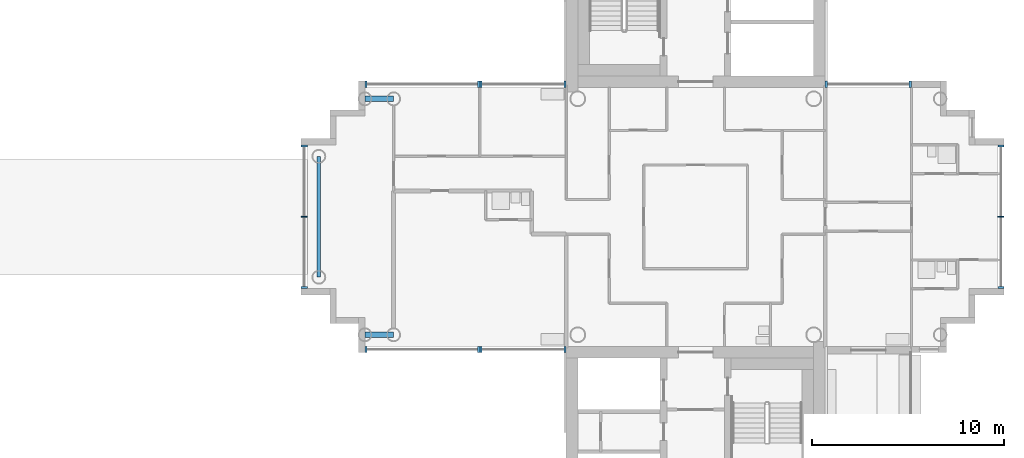
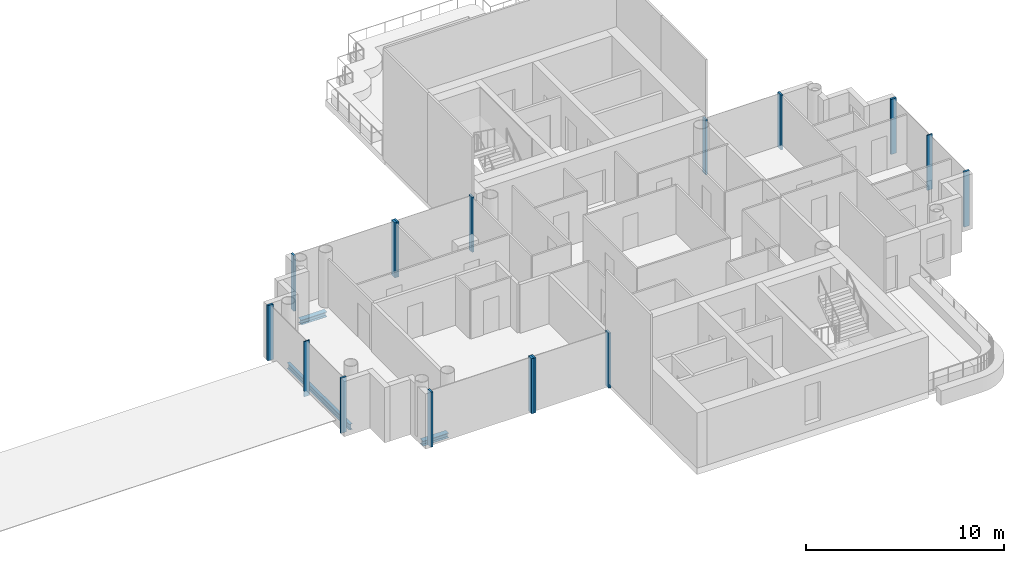
# One storey, part 4 of 19: 16 members, 3 beams, 7 elements without a shape of their own.
"""IFC4 building model written with IfcOpenShell, lengths in metres."""

from ifc_helpers import new_model, si_unit, direction, frame, origin, origin_2d, place, context, subcontext, project, spatial, rectangle, i_section, extrude, material, layer, layer_set, material_profile, profile_set, type_object, element, aggregate, save


model = new_model("IFC4")

# Units and contexts
model_context = context("Model", 3, precision=1e-05, world=origin(), true_north=direction((0.0, 1.0)))
body_context = subcontext(model_context, "Body", "Model", "MODEL_VIEW")
ifc_project = project(units=[si_unit("LENGTHUNIT", "METRE"), si_unit("AREAUNIT", "SQUARE_METRE"), si_unit("VOLUMEUNIT", "CUBIC_METRE"), si_unit("PLANEANGLEUNIT", "RADIAN"), si_unit("MASSUNIT", "GRAM", prefix="KILO")], contexts=[model_context])

# Site, building, storey
site_placement = place(None, origin())
site = spatial("IfcSite", under=ifc_project, at=site_placement, CompositionType="ELEMENT")
building_placement = place(site_placement, origin())
building = spatial("IfcBuilding", under=site, at=building_placement, Name="Ipe Terrace Towers", CompositionType="ELEMENT")
storey_placement = place(building_placement, frame((0.0, 0.0, 185.800048828125)))
storey = spatial("IfcBuildingStorey", under=building, at=storey_placement, Name="L51", CompositionType="ELEMENT", Elevation=185.800048828125)

# Beams
ifc_material_1 = material(Name="Steel S355", Category="steel")
ifc_material_profile_1 = material_profile(ifc_material_1, i_section(OverallWidth=0.300048828125, OverallDepth=0.300048828125, WebThickness=0.010009765625, FlangeThickness=0.014892578125, at=origin_2d()), Name="H-300x300x10x15")
ifc_profile_set_1 = profile_set([ifc_material_profile_1], Name="Steel S355")
beam_type_1 = type_object("IfcBeamType", Name="H03 EDGE BEAM H-300x300x10x15", PredefinedType="BEAM", material=ifc_profile_set_1)
for number, where, z_axis, x_axis, name in (
    (1, (20.25, 6.14990234375, -0.550048828125), (-1.0, 0.0, 0.0), (0.0, -1.0, 0.0), "Edge beam T2-EB-B03-B05"),
    (2, (20.25, -6.14990234375, -0.550048828125), (-1.0, 0.0, 0.0), (0.0, -1.0, 0.0), "Edge beam T2-EB-B04-B06"),
):
    element("IfcBeam", number, at=place(storey_placement, frame(where, z_axis=z_axis, x_axis=x_axis)), inside=storey, type_object=beam_type_1, Name=name, PredefinedType="BEAM", context=body_context, shape_type="SweptSolid", body=[
        extrude(i_section(OverallWidth=0.300048828125, OverallDepth=0.300048828125, WebThickness=0.010009765625, FlangeThickness=0.014892578125, at=origin_2d()), origin(), (0.0, 0.0, 1.0), 1.5),
    ])
ifc_material_2 = material(Name="Steel S355", Category="steel")
ifc_material_profile_2 = material_profile(ifc_material_2, i_section(OverallWidth=0.175048828125, OverallDepth=0.35009765625, WebThickness=0.007080078125, FlangeThickness=0.010986328125, at=origin_2d()), Name="H-350x175x7x11")
ifc_profile_set_2 = profile_set([ifc_material_profile_2], Name="Steel S355")
beam_type_2 = type_object("IfcBeamType", Name="H04 EDGE BEAM H-350x175x7x11", PredefinedType="BEAM", material=ifc_profile_set_2)
beam_placement = place(storey_placement, frame((16.35009765625, 3.14990234375, -0.574951171875), z_axis=(0.0, -1.0, 0.0), x_axis=(1.0, 0.0, 0.0)))
element("IfcBeam", 3, at=beam_placement, inside=storey, type_object=beam_type_2, Name="Edge beam T2-EB-B07-B08", PredefinedType="BEAM", context=body_context, shape_type="SweptSolid", body=[
    extrude(i_section(OverallWidth=0.175048828125, OverallDepth=0.35009765625, WebThickness=0.007080078125, FlangeThickness=0.010986328125, at=origin_2d()), origin(), (0.0, 0.0, 1.0), 6.2998046875),
])

# Curtain wall, members
ifc_material_3 = material(Name="Aluminium alloy 6063-T6", Category="aluminium")
ifc_layer = layer(ifc_material_3, 0.320068359375)
ifc_layer_set = layer_set([ifc_layer], Name="TOWER UNITISED CURTAIN WALL")
curtain_wall_type = type_object("IfcCurtainWallType", Name="TOWER UNITISED CURTAIN WALL", PredefinedType="NOTDEFINED", material=ifc_layer_set)
curtain_wall_1_placement = place(storey_placement, origin())
curtain_wall_1 = element("IfcCurtainWall", 4, at=curtain_wall_1_placement, inside=storey, type_object=curtain_wall_type, Name="T2-CW-L51-08a curtain wall", PredefinedType="NOTDEFINED")
ifc_material_4 = material(Name="Aluminium alloy 6063-T6", Category="aluminium")
ifc_material_profile_3 = material_profile(ifc_material_4, rectangle(XDim=0.320068359375, YDim=0.1201171875, at=origin_2d()), Name="TOWER UNITISED CORNER MULLION 320 x 120")
ifc_profile_set_3 = profile_set([ifc_material_profile_3], Name="Aluminium alloy 6063-T6")
member_type_1 = type_object("IfcMemberType", Name="TOWER UNITISED CORNER MULLION 320 x 120", PredefinedType="MULLION", material=ifc_profile_set_3)
member_1_placement = place(storey_placement, frame((51.909912109375, -3.68994140625, -0.300048828125), z_axis=(0.0, 0.0, 1.0), x_axis=(1.0, 0.0, 0.0)))
member_1 = element("IfcMember", 5, at=member_1_placement, type_object=member_type_1, Name="T2-CW-L51-08a mullion 1", PredefinedType="MULLION", context=body_context, shape_type="SweptSolid", body=[
    extrude(rectangle(XDim=0.320068359375, YDim=0.1201171875, at=origin_2d()), origin(), (0.0, 0.0, 1.0), 3.39990234375),
])
member_2_placement = place(storey_placement, frame((51.909912109375, 3.68994140625, -0.300048828125), z_axis=(0.0, 0.0, 1.0), x_axis=(1.0, 0.0, 0.0)))
member_2 = element("IfcMember", 6, at=member_2_placement, type_object=member_type_1, Name="T2-CW-L51-08a mullion 3", PredefinedType="MULLION", context=body_context, shape_type="SweptSolid", body=[
    extrude(rectangle(XDim=0.320068359375, YDim=0.1201171875, at=origin_2d()), origin(), (0.0, 0.0, 1.0), 3.39990234375),
])

curtain_wall_2_placement = place(storey_placement, origin())
curtain_wall_2 = element("IfcCurtainWall", 7, at=curtain_wall_2_placement, inside=storey, type_object=curtain_wall_type, Name="T2-CW-L51-14a curtain wall", PredefinedType="NOTDEFINED")
member_3_placement = place(storey_placement, frame((47.18994140625, 6.909912109375, -0.300048828125), z_axis=(0.0, 0.0, 1.0), x_axis=(0.0, 1.0, 0.0)))
member_3 = element("IfcMember", 8, at=member_3_placement, type_object=member_type_1, Name="T2-CW-L51-14a mullion 1", PredefinedType="MULLION", context=body_context, shape_type="SweptSolid", body=[
    extrude(rectangle(XDim=0.320068359375, YDim=0.1201171875, at=origin_2d()), origin(), (0.0, 0.0, 1.0), 3.39990234375),
])
member_4_placement = place(storey_placement, frame((42.81005859375, 6.909912109375, -0.300048828125), z_axis=(0.0, 0.0, 1.0), x_axis=(0.0, 1.0, 0.0)))
member_4 = element("IfcMember", 9, at=member_4_placement, type_object=member_type_1, Name="T2-CW-L51-14a mullion 2", PredefinedType="MULLION", context=body_context, shape_type="SweptSolid", body=[
    extrude(rectangle(XDim=0.320068359375, YDim=0.1201171875, at=origin_2d()), origin(), (0.0, 0.0, 1.0), 3.39990234375),
])
aggregate(curtain_wall_2, [member_3, member_4])

curtain_wall_3_placement = place(storey_placement, origin())
curtain_wall_3 = element("IfcCurtainWall", 10, at=curtain_wall_3_placement, inside=storey, type_object=curtain_wall_type, Name="T2-CW-L51-20a curtain wall", PredefinedType="NOTDEFINED")
member_5_placement = place(storey_placement, frame((29.18994140625, 6.909912109375, -0.300048828125), z_axis=(0.0, 0.0, 1.0), x_axis=(0.0, 1.0, 0.0)))
member_5 = element("IfcMember", 11, at=member_5_placement, type_object=member_type_1, Name="T2-CW-L51-20a mullion 1", PredefinedType="MULLION", context=body_context, shape_type="SweptSolid", body=[
    extrude(rectangle(XDim=0.320068359375, YDim=0.1201171875, at=origin_2d()), origin(), (0.0, 0.0, 1.0), 3.39990234375),
])
member_6_placement = place(storey_placement, frame((24.81005859375, 6.909912109375, -0.300048828125), z_axis=(0.0, 0.0, 1.0), x_axis=(0.0, 1.0, 0.0)))
member_6 = element("IfcMember", 12, at=member_6_placement, type_object=member_type_1, Name="T2-CW-L51-20a mullion 2", PredefinedType="MULLION", context=body_context, shape_type="SweptSolid", body=[
    extrude(rectangle(XDim=0.320068359375, YDim=0.1201171875, at=origin_2d()), origin(), (0.0, 0.0, 1.0), 3.39990234375),
])
aggregate(curtain_wall_3, [member_5, member_6])

curtain_wall_4_placement = place(storey_placement, origin())
curtain_wall_4 = element("IfcCurtainWall", 13, at=curtain_wall_4_placement, inside=storey, type_object=curtain_wall_type, Name="T2-CW-L51-21a curtain wall", PredefinedType="NOTDEFINED")
member_7_placement = place(storey_placement, frame((24.68994140625, 6.909912109375, -0.300048828125), z_axis=(0.0, 0.0, 1.0), x_axis=(0.0, 1.0, 0.0)))
member_7 = element("IfcMember", 14, at=member_7_placement, type_object=member_type_1, Name="T2-CW-L51-21a mullion 1", PredefinedType="MULLION", context=body_context, shape_type="SweptSolid", body=[
    extrude(rectangle(XDim=0.320068359375, YDim=0.1201171875, at=origin_2d()), origin(), (0.0, 0.0, 1.0), 3.39990234375),
])
member_8_placement = place(storey_placement, frame((18.81005859375, 6.909912109375, -0.300048828125), z_axis=(0.0, 0.0, 1.0), x_axis=(0.0, 1.0, 0.0)))
member_8 = element("IfcMember", 15, at=member_8_placement, type_object=member_type_1, Name="T2-CW-L51-21a mullion 2", PredefinedType="MULLION", context=body_context, shape_type="SweptSolid", body=[
    extrude(rectangle(XDim=0.320068359375, YDim=0.1201171875, at=origin_2d()), origin(), (0.0, 0.0, 1.0), 3.39990234375),
])
aggregate(curtain_wall_4, [member_7, member_8])

curtain_wall_5_placement = place(storey_placement, origin())
curtain_wall_5 = element("IfcCurtainWall", 16, at=curtain_wall_5_placement, inside=storey, type_object=curtain_wall_type, Name="T2-CW-L51-26a curtain wall", PredefinedType="NOTDEFINED")
member_9_placement = place(storey_placement, frame((15.590087890625, 3.68994140625, -0.300048828125), z_axis=(0.0, 0.0, 1.0), x_axis=(-1.0, 0.0, 0.0)))
member_9 = element("IfcMember", 17, at=member_9_placement, type_object=member_type_1, Name="T2-CW-L51-26a mullion 1", PredefinedType="MULLION", context=body_context, shape_type="SweptSolid", body=[
    extrude(rectangle(XDim=0.320068359375, YDim=0.1201171875, at=origin_2d()), origin(), (0.0, 0.0, 1.0), 3.39990234375),
])
member_10_placement = place(storey_placement, frame((15.590087890625, -3.68994140625, -0.300048828125), z_axis=(0.0, 0.0, 1.0), x_axis=(-1.0, 0.0, 0.0)))
member_10 = element("IfcMember", 18, at=member_10_placement, type_object=member_type_1, Name="T2-CW-L51-26a mullion 3", PredefinedType="MULLION", context=body_context, shape_type="SweptSolid", body=[
    extrude(rectangle(XDim=0.320068359375, YDim=0.1201171875, at=origin_2d()), origin(), (0.0, 0.0, 1.0), 3.39990234375),
])

curtain_wall_6_placement = place(storey_placement, origin())
curtain_wall_6 = element("IfcCurtainWall", 19, at=curtain_wall_6_placement, inside=storey, type_object=curtain_wall_type, Name="T2-CW-L51-31a curtain wall", PredefinedType="NOTDEFINED")
member_11_placement = place(storey_placement, frame((18.81005859375, -6.909912109375, -0.300048828125), z_axis=(0.0, 0.0, 1.0), x_axis=(0.0, -1.0, 0.0)))
member_11 = element("IfcMember", 20, at=member_11_placement, type_object=member_type_1, Name="T2-CW-L51-31a mullion 1", PredefinedType="MULLION", context=body_context, shape_type="SweptSolid", body=[
    extrude(rectangle(XDim=0.320068359375, YDim=0.1201171875, at=origin_2d()), origin(), (0.0, 0.0, 1.0), 3.39990234375),
])
member_12_placement = place(storey_placement, frame((24.68994140625, -6.909912109375, -0.300048828125), z_axis=(0.0, 0.0, 1.0), x_axis=(0.0, -1.0, 0.0)))
member_12 = element("IfcMember", 21, at=member_12_placement, type_object=member_type_1, Name="T2-CW-L51-31a mullion 2", PredefinedType="MULLION", context=body_context, shape_type="SweptSolid", body=[
    extrude(rectangle(XDim=0.320068359375, YDim=0.1201171875, at=origin_2d()), origin(), (0.0, 0.0, 1.0), 3.39990234375),
])
aggregate(curtain_wall_6, [member_11, member_12])

curtain_wall_7_placement = place(storey_placement, origin())
curtain_wall_7 = element("IfcCurtainWall", 22, at=curtain_wall_7_placement, inside=storey, type_object=curtain_wall_type, Name="T2-CW-L51-32a curtain wall", PredefinedType="NOTDEFINED")
member_13_placement = place(storey_placement, frame((24.81005859375, -6.909912109375, -0.300048828125), z_axis=(0.0, 0.0, 1.0), x_axis=(0.0, -1.0, 0.0)))
member_13 = element("IfcMember", 23, at=member_13_placement, type_object=member_type_1, Name="T2-CW-L51-32a mullion 1", PredefinedType="MULLION", context=body_context, shape_type="SweptSolid", body=[
    extrude(rectangle(XDim=0.320068359375, YDim=0.1201171875, at=origin_2d()), origin(), (0.0, 0.0, 1.0), 3.39990234375),
])
member_14_placement = place(storey_placement, frame((29.18994140625, -6.909912109375, -0.300048828125), z_axis=(0.0, 0.0, 1.0), x_axis=(0.0, -1.0, 0.0)))
member_14 = element("IfcMember", 24, at=member_14_placement, type_object=member_type_1, Name="T2-CW-L51-32a mullion 2", PredefinedType="MULLION", context=body_context, shape_type="SweptSolid", body=[
    extrude(rectangle(XDim=0.320068359375, YDim=0.1201171875, at=origin_2d()), origin(), (0.0, 0.0, 1.0), 3.39990234375),
])
aggregate(curtain_wall_7, [member_13, member_14])

# Member
ifc_material_5 = material(Name="Aluminium alloy 6063-T6", Category="aluminium")
ifc_material_profile_4 = material_profile(ifc_material_5, rectangle(XDim=0.320068359375, YDim=0.06494140625, at=origin_2d()), Name="TOWER UNITISED MULLION 320 x 65")
ifc_profile_set_4 = profile_set([ifc_material_profile_4], Name="Aluminium alloy 6063-T6")
member_type_2 = type_object("IfcMemberType", Name="TOWER UNITISED MULLION 320 x 65", PredefinedType="MULLION", material=ifc_profile_set_4)
member_15_placement = place(storey_placement, frame((51.909912109375, 0.0, -0.300048828125), z_axis=(0.0, 0.0, 1.0), x_axis=(1.0, 0.0, 0.0)))
member_15 = element("IfcMember", 25, at=member_15_placement, type_object=member_type_2, Name="T2-CW-L51-08a mullion 2", PredefinedType="MULLION", context=body_context, shape_type="SweptSolid", body=[
    extrude(rectangle(XDim=0.320068359375, YDim=0.06494140625, at=origin_2d()), origin(), (0.0, 0.0, 1.0), 3.39990234375),
])

aggregate(curtain_wall_1, [member_1, member_15, member_2])

member_16_placement = place(storey_placement, frame((15.590087890625, 0.0, -0.300048828125), z_axis=(0.0, 0.0, 1.0), x_axis=(-1.0, 0.0, 0.0)))
member_16 = element("IfcMember", 26, at=member_16_placement, type_object=member_type_2, Name="T2-CW-L51-26a mullion 2", PredefinedType="MULLION", context=body_context, shape_type="SweptSolid", body=[
    extrude(rectangle(XDim=0.320068359375, YDim=0.06494140625, at=origin_2d()), origin(), (0.0, 0.0, 1.0), 3.39990234375),
])

aggregate(curtain_wall_5, [member_9, member_16, member_10])

save(model, "model.ifc")
